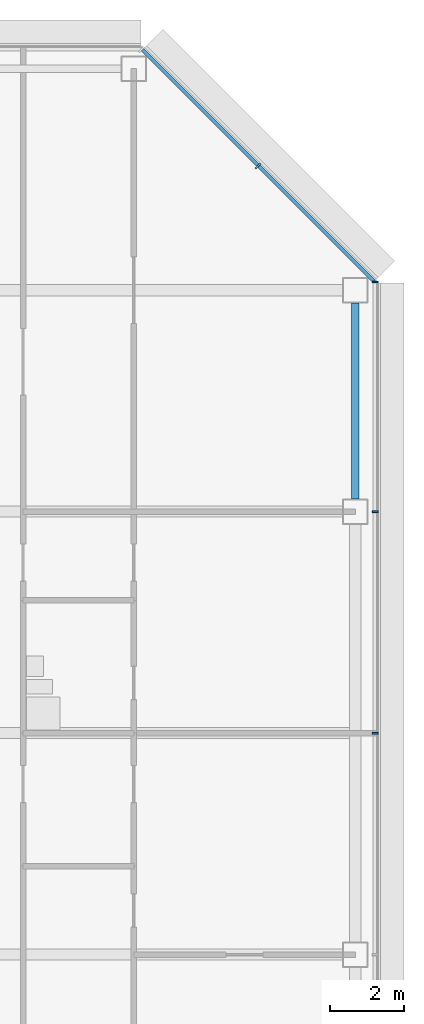
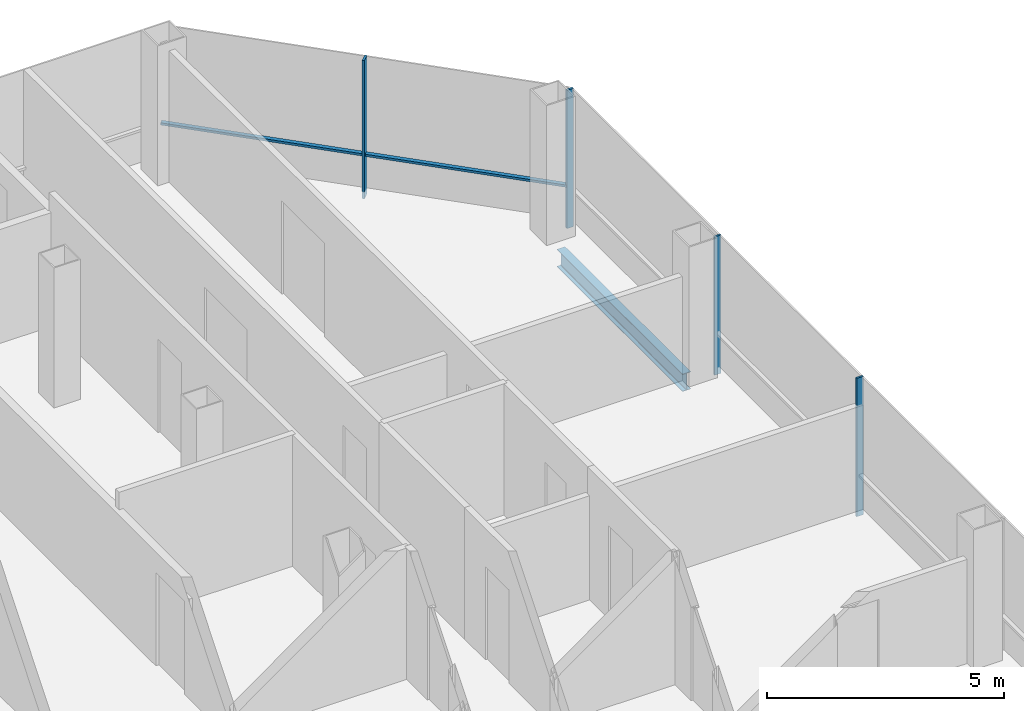
# One storey, part 17 of 26: 5 members, 1 beam, 2 elements without a shape of their own.
"""IFC4 building model written with IfcOpenShell, lengths in metres."""

from ifc_helpers import new_model, si_unit, direction, frame, origin, origin_2d, place, context, subcontext, project, spatial, rectangle, i_section, extrude, material, material_profile, profile_set, type_object, element, aggregate, save


model = new_model("IFC4")

# Units and contexts
model_context = context("Model", 3, precision=1e-05, world=origin(), true_north=direction((0.0, 1.0)))
body_context = subcontext(model_context, "Body", "Model", "MODEL_VIEW")
ifc_project = project(units=[si_unit("LENGTHUNIT", "METRE"), si_unit("AREAUNIT", "SQUARE_METRE"), si_unit("VOLUMEUNIT", "CUBIC_METRE"), si_unit("PLANEANGLEUNIT", "RADIAN"), si_unit("MASSUNIT", "GRAM", prefix="KILO")], contexts=[model_context])

# Site, building, storey
site_placement = place(None, origin())
site = spatial("IfcSite", under=ifc_project, at=site_placement, CompositionType="ELEMENT")
building_placement = place(site_placement, origin())
building = spatial("IfcBuilding", under=site, at=building_placement, Name="Sorahane Residences", CompositionType="ELEMENT")
storey_placement = place(building_placement, frame((0.0, 0.0, 158.199951171875)))
storey = spatial("IfcBuildingStorey", under=building, at=storey_placement, Name="L36", CompositionType="ELEMENT", Elevation=158.199951171875)

# Curtain wall, members
ifc_material_1 = material(Name="Dark low-e glass and black anodised aluminium", Category="aluminium")
curtain_wall_type_1 = type_object("IfcCurtainWallType", Name="Curtain wall CW-1 Typical unitised wall", PredefinedType="NOTDEFINED", material=ifc_material_1)
curtain_wall_1_placement = place(storey_placement, origin())
curtain_wall_1 = element("IfcCurtainWall", 1, at=curtain_wall_1_placement, inside=storey, type_object=curtain_wall_type_1, Name="CW-1 curtain wall L36 E1", PredefinedType="NOTDEFINED")
ifc_material_2 = material(Name="Black anodised aluminium", Category="aluminium")
ifc_material_profile_1 = material_profile(ifc_material_2, rectangle(XDim=0.159912109375, YDim=0.050048828125, at=origin_2d()), Name="Curtain wall mullion CW-1 black anodised aluminium 50x160")
ifc_profile_set_1 = profile_set([ifc_material_profile_1], Name="Black anodised aluminium")
member_type_1 = type_object("IfcMemberType", Name="Curtain wall mullion CW-1 black anodised aluminium 50x160", PredefinedType="MULLION", material=ifc_profile_set_1)
member_1_placement = place(storey_placement, frame((60.5400390625, 30.0, -0.179931640625), z_axis=(0.0, 0.0, 1.0), x_axis=(1.0, 0.0, 0.0)))
member_1 = element("IfcMember", 2, at=member_1_placement, type_object=member_type_1, Name="CW-1 mullion L36 E1.5", PredefinedType="MULLION", context=body_context, shape_type="SweptSolid", body=[
    extrude(rectangle(XDim=0.159912109375, YDim=0.050048828125, at=origin_2d()), origin(), (0.0, 0.0, 1.0), 3.56005859375),
])
member_2_placement = place(storey_placement, frame((60.5400390625, 36.0, -0.179931640625), z_axis=(0.0, 0.0, 1.0), x_axis=(1.0, 0.0, 0.0)))
member_2 = element("IfcMember", 3, at=member_2_placement, type_object=member_type_1, Name="CW-1 mullion L36 E1.6", PredefinedType="MULLION", context=body_context, shape_type="SweptSolid", body=[
    extrude(rectangle(XDim=0.159912109375, YDim=0.050048828125, at=origin_2d()), origin(), (0.0, 0.0, 1.0), 3.56005859375),
])
member_3_placement = place(storey_placement, frame((60.5400390625, 42.2236328125, -0.179931640625), z_axis=(0.0, 0.0, 1.0), x_axis=(1.0, 0.0, 0.0)))
member_3 = element("IfcMember", 4, at=member_3_placement, type_object=member_type_1, Name="CW-1 mullion L36 E1.7", PredefinedType="MULLION", context=body_context, shape_type="SweptSolid", body=[
    extrude(rectangle(XDim=0.159912109375, YDim=0.050048828125, at=origin_2d()), origin(), (0.0, 0.0, 1.0), 3.56005859375),
])
aggregate(curtain_wall_1, [member_1, member_2, member_3])

ifc_material_3 = material(Name="Dark low-e glass and black anodised aluminium", Category="aluminium")
curtain_wall_type_2 = type_object("IfcCurtainWallType", Name="Curtain wall CW-2 Chamfer unitised wall", PredefinedType="NOTDEFINED", material=ifc_material_3)
curtain_wall_2_placement = place(storey_placement, origin())
curtain_wall_2 = element("IfcCurtainWall", 5, at=curtain_wall_2_placement, inside=storey, type_object=curtain_wall_type_2, Name="CW-2 curtain wall L36 NE1", PredefinedType="NOTDEFINED")
ifc_material_4 = material(Name="Black anodised aluminium", Category="aluminium")
ifc_material_profile_2 = material_profile(ifc_material_4, rectangle(XDim=0.199951171875, YDim=0.050048828125, at=origin_2d()), Name="Curtain wall mullion CW-2 black anodised aluminium 50x200")
ifc_profile_set_2 = profile_set([ifc_material_profile_2], Name="Black anodised aluminium")
member_type_2 = type_object("IfcMemberType", Name="Curtain wall mullion CW-2 black anodised aluminium 50x200", PredefinedType="MULLION", material=ifc_profile_set_2)
member_4_placement = place(storey_placement, frame((57.36767578125, 45.36767578125, -0.179931640625), z_axis=(0.0, 0.0, 1.0), x_axis=(0.707106781187, 0.707106781187, 0.0)))
member_4 = element("IfcMember", 6, at=member_4_placement, type_object=member_type_2, Name="CW-2 mullion L36 NE1.2", PredefinedType="MULLION", context=body_context, shape_type="SweptSolid", body=[
    extrude(rectangle(XDim=0.199951171875, YDim=0.050048828125, at=origin_2d()), origin(), (0.0, 0.0, 1.0), 3.56005859375),
])
ifc_material_5 = material(Name="Black anodised aluminium", Category="aluminium")
ifc_material_profile_3 = material_profile(ifc_material_5, rectangle(XDim=0.10009765625, YDim=0.06005859375, at=origin_2d()), Name="Curtain wall transom CW-2 black anodised aluminium 60x100")
ifc_profile_set_3 = profile_set([ifc_material_profile_3], Name="Black anodised aluminium")
member_type_3 = type_object("IfcMemberType", Name="Curtain wall transom CW-2 black anodised aluminium 60x100", PredefinedType="USERDEFINED", material=ifc_profile_set_3)
member_5_placement = place(storey_placement, frame((60.51513671875, 42.234375, 0.900146484375), z_axis=(-0.707106781187, 0.707106781187, 0.0), x_axis=(-0.707106781187, -0.707106781187, 0.0)))
member_5 = element("IfcMember", 7, at=member_5_placement, type_object=member_type_3, Name="CW-2 transom L36 NE1", ObjectType="TRANSOM", PredefinedType="USERDEFINED", context=body_context, shape_type="SweptSolid", body=[
    extrude(rectangle(XDim=0.10009765625, YDim=0.06005859375, at=origin_2d()), origin(), (0.0, 0.0, 1.0), 8.88232421875),
])
aggregate(curtain_wall_2, [member_4, member_5])

# Beam
ifc_material_6 = material(Name="Steel Q355B", Category="steel")
ifc_material_profile_4 = material_profile(ifc_material_6, i_section(OverallWidth=0.199951171875, OverallDepth=0.449951171875, WebThickness=0.009033203125, FlangeThickness=0.013916015625, FilletRadius=0.02001953125, at=origin_2d()), Name="HN 450x200x9x14")
ifc_profile_set_4 = profile_set([ifc_material_profile_4], Name="Steel Q355B")
beam_type = type_object("IfcBeamType", Name="Steel floor beam HN 450x200x9x14 Q355B", PredefinedType="BEAM", material=ifc_profile_set_4)
beam_placement = place(storey_placement, frame((60.0, 36.35009765625, -0.405029296875), z_axis=(0.0, 1.0, 0.0), x_axis=(-1.0, 0.0, 0.0)))
element("IfcBeam", 8, at=beam_placement, inside=storey, type_object=beam_type, Name="Beam L36 067", PredefinedType="BEAM", context=body_context, shape_type="SweptSolid", body=[
    extrude(i_section(OverallWidth=0.199951171875, OverallDepth=0.449951171875, WebThickness=0.009033203125, FlangeThickness=0.013916015625, FilletRadius=0.02001953125, at=origin_2d()), origin(), (0.0, 0.0, 1.0), 5.2998046875),
])

save(model, "model.ifc")
